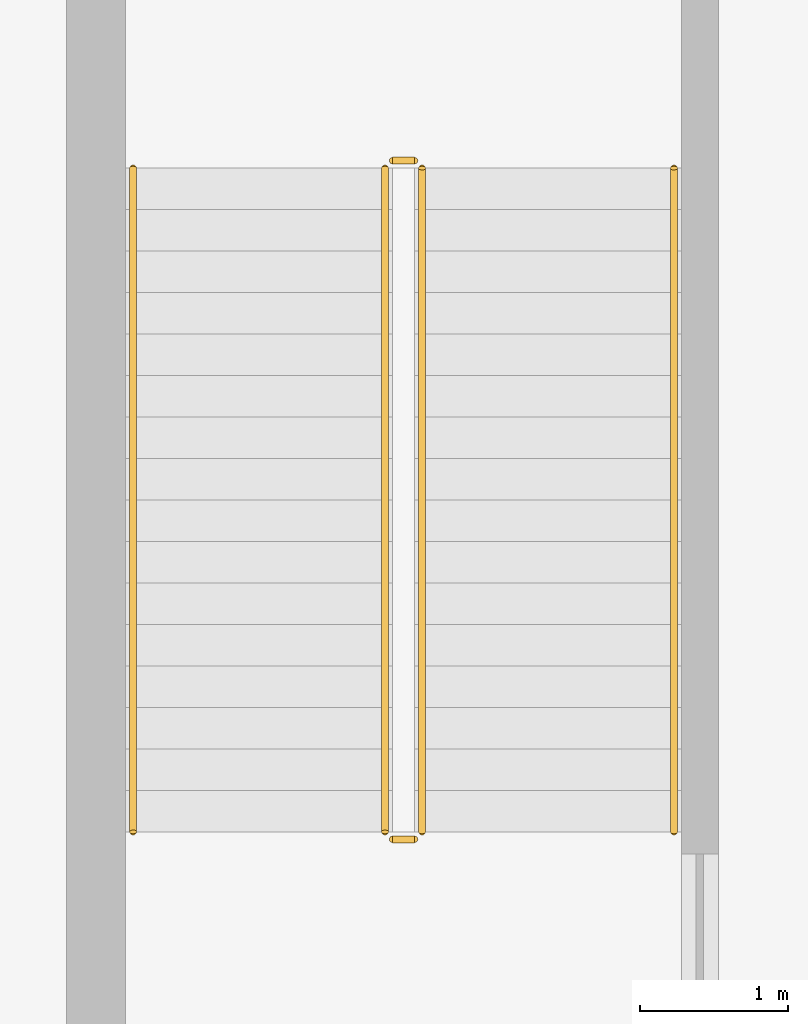
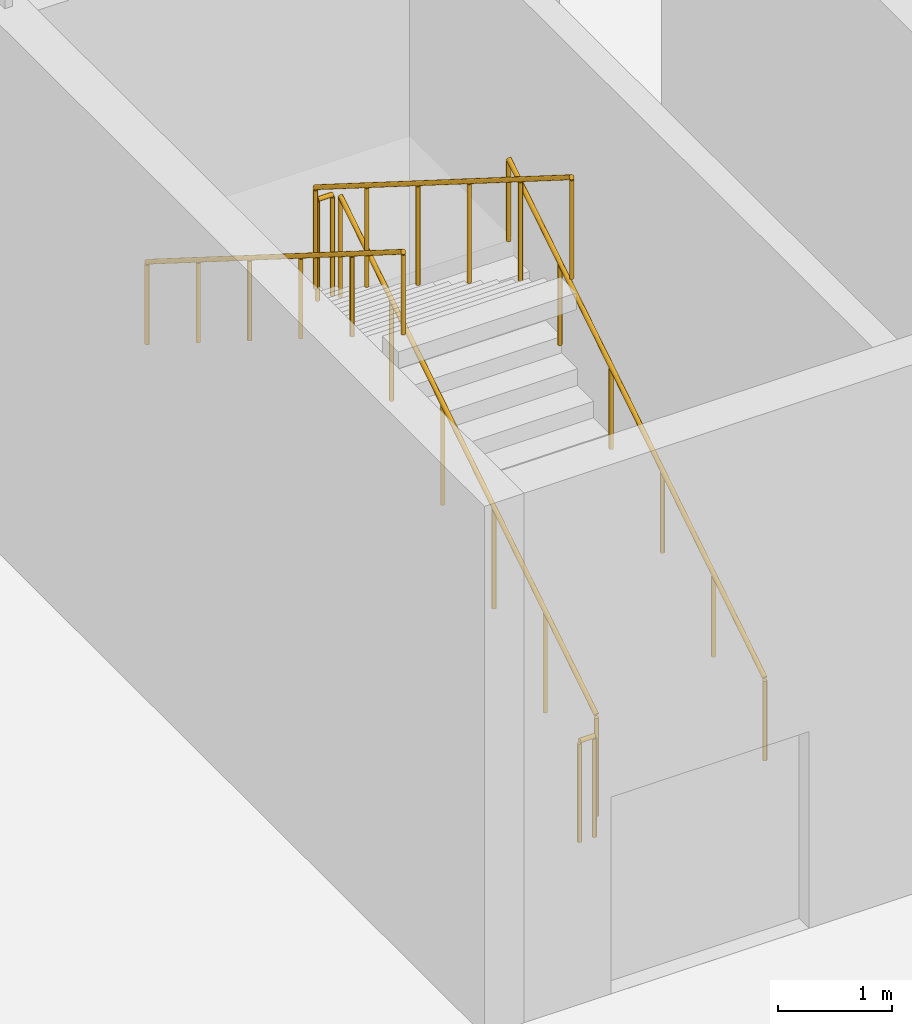
# One storey, part 43 of 47: 6 railings.
"""IFC4 building model written with IfcOpenShell, lengths in metres."""

from ifc_helpers import new_model, si_unit, direction, frame, origin, origin_2d, place, context, subcontext, project, spatial, circle, extrude, material, type_object, element, save


model = new_model("IFC4")

# Units and contexts
model_context = context("Model", 3, precision=1e-05, world=origin(), true_north=direction((0.0, 1.0)))
body_context = subcontext(model_context, "Body", "Model", "MODEL_VIEW")
ifc_project = project(units=[si_unit("LENGTHUNIT", "METRE"), si_unit("AREAUNIT", "SQUARE_METRE"), si_unit("VOLUMEUNIT", "CUBIC_METRE"), si_unit("PLANEANGLEUNIT", "RADIAN"), si_unit("MASSUNIT", "GRAM", prefix="KILO")], contexts=[model_context])

# Site, building, storey
site_placement = place(None, origin())
site = spatial("IfcSite", under=ifc_project, at=site_placement, CompositionType="ELEMENT")
building_placement = place(site_placement, origin())
building = spatial("IfcBuilding", under=site, at=building_placement, Name="Hunhe Ridgeline Campus", CompositionType="ELEMENT")
storey_placement = place(building_placement, origin())
storey = spatial("IfcBuildingStorey", under=building, at=storey_placement, Name="L00", CompositionType="ELEMENT", Elevation=0.0)

# Railings
ifc_material = material(Name="Steel Q235", Category="steel")
railing_type_1 = type_object("IfcRailingType", Name="Hall stair guard 1100", PredefinedType="GUARDRAIL", material=ifc_material)
railing_1_placement = place(storey_placement, frame((152.39990234375, 24.699951171875, 0.176513671875)))
element("IfcRailing", 1, at=railing_1_placement, inside=storey, type_object=railing_type_1, Name="L00 HS1 stair guard 1", PredefinedType="GUARDRAIL", context=body_context, shape_type="SweptSolid", body=[
    extrude(circle(Radius=0.02392578125, at=origin_2d()), frame((0.0, 0.0, 1.076171875), z_axis=(0.0, 0.845997938375, 0.533186166611), x_axis=(-1.0, 0.0, 0.0)), (0.0, 0.0, 1.0), 5.29541015625),
    extrude(circle(Radius=0.02099609375, at=origin_2d()), origin(), (0.0, 0.0, 1.0), 1.052001953125),
    extrude(circle(Radius=0.02099609375, at=origin_2d()), frame((0.0, 0.89599609375, 0.564697265625)), (0.0, 0.0, 1.0), 1.052001953125),
    extrude(circle(Radius=0.02099609375, at=origin_2d()), frame((0.0, 1.7919921875, 1.12939453125)), (0.0, 0.0, 1.0), 1.052001953125),
    extrude(circle(Radius=0.02099609375, at=origin_2d()), frame((0.0, 2.68798828125, 1.694091796875)), (0.0, 0.0, 1.0), 1.052001953125),
    extrude(circle(Radius=0.02099609375, at=origin_2d()), frame((0.0, 3.583984375, 2.2587890625)), (0.0, 0.0, 1.0), 1.052001953125),
    extrude(circle(Radius=0.02099609375, at=origin_2d()), frame((0.0, 4.47998046875, 2.823486328125)), (0.0, 0.0, 1.0), 1.052001953125),
])
railing_2_placement = place(storey_placement, frame((152.35009765625, 29.22998046875, 3.0)))
element("IfcRailing", 2, at=railing_2_placement, inside=storey, type_object=railing_type_1, Name="L00 HS1 stair guard 2", PredefinedType="GUARDRAIL", context=body_context, shape_type="SweptSolid", body=[
    extrude(circle(Radius=0.02392578125, at=origin_2d()), frame((0.0, 0.0, 1.076171875), z_axis=(-1.0, 0.0, 0.0), x_axis=(0.0, -1.0, 0.0)), (0.0, 0.0, 1.0), 0.150146484375),
    extrude(circle(Radius=0.02099609375, at=origin_2d()), origin(), (0.0, 0.0, 1.0), 1.052001953125),
    extrude(circle(Radius=0.02099609375, at=origin_2d()), frame((-0.150146484375, 0.0, 0.0)), (0.0, 0.0, 1.0), 1.052001953125),
])
railing_3_placement = place(storey_placement, frame((152.14990234375, 29.179931640625, 3.176513671875)))
element("IfcRailing", 3, at=railing_3_placement, inside=storey, type_object=railing_type_1, Name="L00 HS1 stair guard 3", PredefinedType="GUARDRAIL", context=body_context, shape_type="SweptSolid", body=[
    extrude(circle(Radius=0.02392578125, at=origin_2d()), frame((0.0, 0.0, 1.076171875), z_axis=(0.0, -0.845997938375, 0.533186166611), x_axis=(1.0, 0.0, 0.0)), (0.0, 0.0, 1.0), 5.29541015625),
    extrude(circle(Radius=0.02099609375, at=origin_2d()), origin(), (0.0, 0.0, 1.0), 1.052001953125),
    extrude(circle(Radius=0.02099609375, at=origin_2d()), frame((0.0, -0.89599609375, 0.564697265625)), (0.0, 0.0, 1.0), 1.052001953125),
    extrude(circle(Radius=0.02099609375, at=origin_2d()), frame((0.0, -1.7919921875, 1.12939453125)), (0.0, 0.0, 1.0), 1.052001953125),
    extrude(circle(Radius=0.02099609375, at=origin_2d()), frame((0.0, -2.68798828125, 1.694091796875)), (0.0, 0.0, 1.0), 1.052001953125),
    extrude(circle(Radius=0.02099609375, at=origin_2d()), frame((0.0, -3.583984375, 2.2587890625)), (0.0, 0.0, 1.0), 1.052001953125),
    extrude(circle(Radius=0.02099609375, at=origin_2d()), frame((0.0, -4.47998046875, 2.823486328125)), (0.0, 0.0, 1.0), 1.052001953125),
])
railing_4_placement = place(storey_placement, frame((152.35009765625, 24.64990234375, 0.0)))
element("IfcRailing", 4, at=railing_4_placement, inside=storey, type_object=railing_type_1, Name="L00 HS1 stair guard 4", PredefinedType="GUARDRAIL", context=body_context, shape_type="SweptSolid", body=[
    extrude(circle(Radius=0.02392578125, at=origin_2d()), frame((0.0, 0.0, 1.076171875), z_axis=(-1.0, 0.0, 0.0), x_axis=(0.0, -1.0, 0.0)), (0.0, 0.0, 1.0), 0.150146484375),
    extrude(circle(Radius=0.02099609375, at=origin_2d()), origin(), (0.0, 0.0, 1.0), 1.052001953125),
    extrude(circle(Radius=0.02099609375, at=origin_2d()), frame((-0.150146484375, 0.0, 0.0)), (0.0, 0.0, 1.0), 1.052001953125),
])
railing_type_2 = type_object("IfcRailingType", Name="Hall stair handrail", PredefinedType="HANDRAIL", material=ifc_material)
railing_5_placement = place(storey_placement, frame((154.10009765625, 24.699951171875, 0.176513671875)))
element("IfcRailing", 5, at=railing_5_placement, inside=storey, type_object=railing_type_2, Name="L00 HS1 stair handrail 1", PredefinedType="HANDRAIL", context=body_context, shape_type="SweptSolid", body=[
    extrude(circle(Radius=0.02392578125, at=origin_2d()), frame((0.0, 0.0, 0.8759765625), z_axis=(0.0, 0.845997938375, 0.533186166611), x_axis=(-1.0, 0.0, 0.0)), (0.0, 0.0, 1.0), 5.29541015625),
    extrude(circle(Radius=0.02099609375, at=origin_2d()), origin(), (0.0, 0.0, 1.0), 0.851806640625),
    extrude(circle(Radius=0.02099609375, at=origin_2d()), frame((0.0, 0.89599609375, 0.564697265625)), (0.0, 0.0, 1.0), 0.851806640625),
    extrude(circle(Radius=0.02099609375, at=origin_2d()), frame((0.0, 1.7919921875, 1.12939453125)), (0.0, 0.0, 1.0), 0.851806640625),
    extrude(circle(Radius=0.02099609375, at=origin_2d()), frame((0.0, 2.68798828125, 1.694091796875)), (0.0, 0.0, 1.0), 0.851806640625),
    extrude(circle(Radius=0.02099609375, at=origin_2d()), frame((0.0, 3.583984375, 2.2587890625)), (0.0, 0.0, 1.0), 0.851806640625),
    extrude(circle(Radius=0.02099609375, at=origin_2d()), frame((0.0, 4.47998046875, 2.823486328125)), (0.0, 0.0, 1.0), 0.851806640625),
])
railing_6_placement = place(storey_placement, frame((150.449951171875, 29.179931640625, 3.176513671875)))
element("IfcRailing", 6, at=railing_6_placement, inside=storey, type_object=railing_type_2, Name="L00 HS1 stair handrail 2", PredefinedType="HANDRAIL", context=body_context, shape_type="SweptSolid", body=[
    extrude(circle(Radius=0.02392578125, at=origin_2d()), frame((0.0, 0.0, 0.8759765625), z_axis=(0.0, -0.845997938375, 0.533186166611), x_axis=(1.0, 0.0, 0.0)), (0.0, 0.0, 1.0), 5.29541015625),
    extrude(circle(Radius=0.02099609375, at=origin_2d()), origin(), (0.0, 0.0, 1.0), 0.851806640625),
    extrude(circle(Radius=0.02099609375, at=origin_2d()), frame((0.0, -0.89599609375, 0.564697265625)), (0.0, 0.0, 1.0), 0.851806640625),
    extrude(circle(Radius=0.02099609375, at=origin_2d()), frame((0.0, -1.7919921875, 1.12939453125)), (0.0, 0.0, 1.0), 0.851806640625),
    extrude(circle(Radius=0.02099609375, at=origin_2d()), frame((0.0, -2.68798828125, 1.694091796875)), (0.0, 0.0, 1.0), 0.851806640625),
    extrude(circle(Radius=0.02099609375, at=origin_2d()), frame((0.0, -3.583984375, 2.2587890625)), (0.0, 0.0, 1.0), 0.851806640625),
    extrude(circle(Radius=0.02099609375, at=origin_2d()), frame((0.0, -4.47998046875, 2.823486328125)), (0.0, 0.0, 1.0), 0.851806640625),
])

save(model, "model.ifc")
